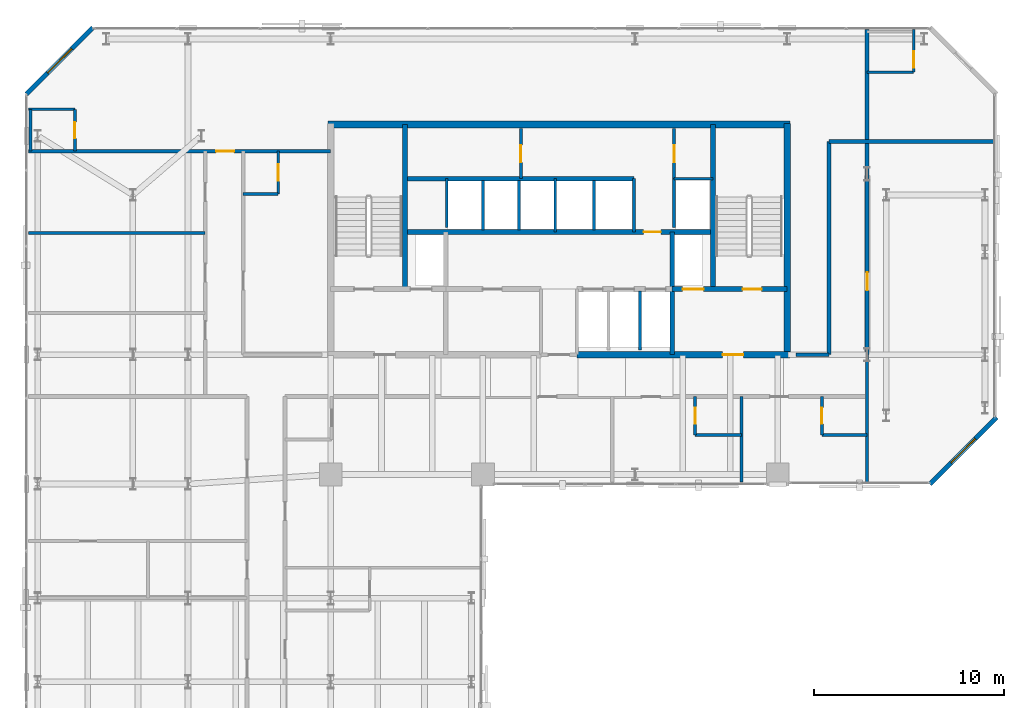
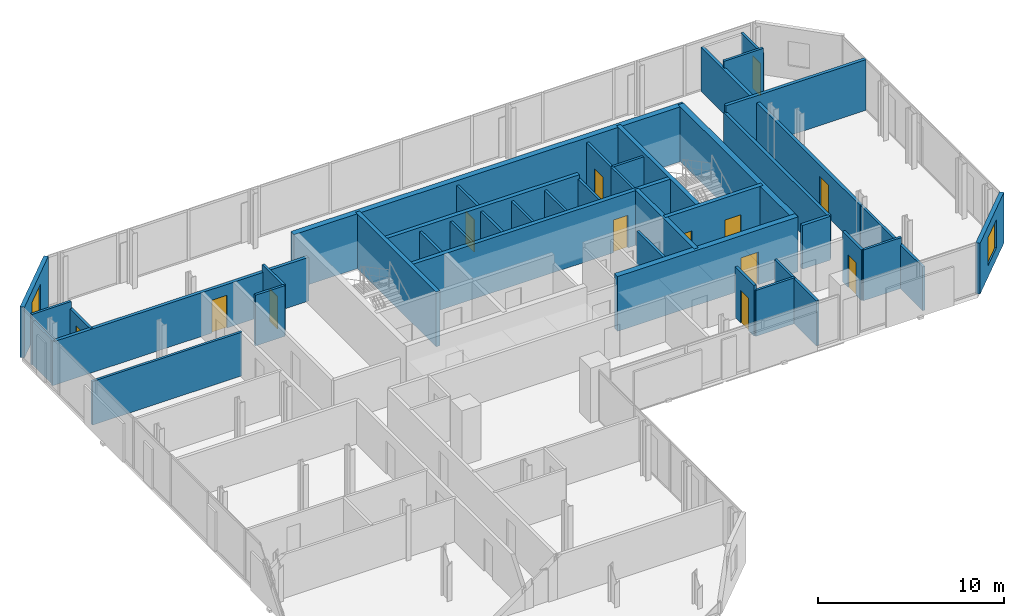
# One storey, part 29 of 33: 41 walls, 13 doors, 2 windows, 15 openings.
"""IFC4 building model written with IfcOpenShell, lengths in metres."""

from ifc_helpers import new_model, si_unit, direction, frame, frame_2d, origin, place, context, subcontext, project, spatial, rectangle, extrude, material, layer, layer_set, type_object, element, fill, save


model = new_model("IFC4")

# Units and contexts
model_context = context("Model", 3, precision=1e-05, world=origin(), true_north=direction((0.0, 1.0)))
body_context = subcontext(model_context, "Body", "Model", "MODEL_VIEW")
ifc_project = project(units=[si_unit("LENGTHUNIT", "METRE"), si_unit("AREAUNIT", "SQUARE_METRE"), si_unit("VOLUMEUNIT", "CUBIC_METRE"), si_unit("PLANEANGLEUNIT", "RADIAN"), si_unit("MASSUNIT", "GRAM", prefix="KILO")], contexts=[model_context])

# Site, building, storey
site_placement = place(None, origin())
site = spatial("IfcSite", under=ifc_project, at=site_placement, CompositionType="ELEMENT")
building_placement = place(site_placement, origin())
building = spatial("IfcBuilding", under=site, at=building_placement, Name="Catumbela Crestline Tower", CompositionType="ELEMENT")
storey_placement = place(building_placement, frame((0.0, 0.0, 118.8)))
storey = spatial("IfcBuildingStorey", under=building, at=storey_placement, Name="L30", CompositionType="ELEMENT", Elevation=118.8)

# Walls
ifc_material_1 = material(Name="Concrete C50/60", Category="concrete")
ifc_layer_1 = layer(ifc_material_1, 0.25, Name="Concrete C50/60")
ifc_layer_set_1 = layer_set([ifc_layer_1], Name="Concrete C50/60")
wall_type_1 = type_object("IfcWallType", Name="CW-250D", PredefinedType="SHEAR", material=ifc_layer_set_1)
for number, where, z_axis, x_axis, name in (
    (1, (19.9, 34.25, 0.0), (0.0, 0.0, 1.0), (0.0, 1.0, 0.0), "L30 Structural Core Shear Wall WWEB"),
    (2, (36.1, 34.25, 0.0), (0.0, 0.0, 1.0), (0.0, 1.0, 0.0), "L30 Structural Core Shear Wall EWEB"),
):
    element("IfcWall", number, at=place(storey_placement, frame(where, z_axis=z_axis, x_axis=x_axis)), inside=storey, type_object=wall_type_1, Name=name, PredefinedType="SHEAR", context=body_context, shape_type="SweptSolid", body=[
        extrude(rectangle(XDim=8.65, YDim=0.25, at=frame_2d((4.325, 0.0))), origin(), (0.0, 0.0, 1.0), 3.6),
    ])
wall_1_placement = place(storey_placement, frame((33.95, 30.8, 0.0), z_axis=(0.0, 0.0, 1.0), x_axis=(0.0, 1.0, 0.0)))
element("IfcWall", 3, at=wall_1_placement, inside=storey, type_object=wall_type_1, Name="L30 Structural Core Shear Wall FFE", PredefinedType="SHEAR", context=body_context, shape_type="SweptSolid", body=[
    extrude(rectangle(XDim=6.45, YDim=0.25, at=frame_2d((3.225, 0.0))), origin(), (0.0, 0.0, 1.0), 3.6),
])

# Wall, openings, doors
wall_2_placement = place(storey_placement, frame((33.95, 34.25, 0.0), z_axis=(0.0, 0.0, 1.0), x_axis=(1.0, 0.0, 0.0)))
wall_2 = element("IfcWall", 4, at=wall_2_placement, inside=storey, type_object=wall_type_1, Name="L30 Structural Core Shear Wall ST2S", PredefinedType="SHEAR", context=body_context, shape_type="SweptSolid", body=[
    extrude(rectangle(XDim=6.05, YDim=0.25, at=frame_2d((3.025, 0.0))), origin(), (0.0, 0.0, 1.0), 3.6),
])
opening_1_placement = place(wall_2_placement, frame((3.7, 0.0, 0.0)))
opening_1 = element("IfcOpeningElement", 5, at=opening_1_placement, cuts=wall_2, Name="Opening DF9-100", PredefinedType="OPENING", context=body_context, shape_type="SweptSolid", body=[
    extrude(rectangle(XDim=1.0, YDim=2.15, at=frame_2d((0.5, 1.075))), frame((0.0, 0.135, 0.0), z_axis=(0.0, -1.0, 0.0), x_axis=(1.0, 0.0, 0.0)), (0.0, 0.0, 1.0), 0.27),
])
opening_2_placement = place(wall_2_placement, frame((0.55, 0.0, 0.0)))
opening_2 = element("IfcOpeningElement", 6, at=opening_2_placement, cuts=wall_2, Name="Opening LD-110", PredefinedType="OPENING", context=body_context, shape_type="SweptSolid", body=[
    extrude(rectangle(XDim=1.1, YDim=2.15, at=frame_2d((0.55, 1.075))), frame((0.0, 0.135, 0.0), z_axis=(0.0, -1.0, 0.0), x_axis=(1.0, 0.0, 0.0)), (0.0, 0.0, 1.0), 0.27),
])
ifc_material_2 = material(Name="Stainless steel EN 1.4401", Category="steel")
door_type_1 = type_object("IfcDoorType", Name="DF9-100", OperationType="NOTDEFINED", PredefinedType="DOOR", material=ifc_material_2)
door_1_placement = place(opening_1_placement, origin())
door_1 = element("IfcDoor", 7, at=door_1_placement, inside=storey, type_object=door_type_1, Name="L30 Interior Door DR-L30-ST02", OperationType="SINGLE_SWING_RIGHT", OverallHeight=2.15, OverallWidth=1.0, PredefinedType="DOOR", context=body_context, shape_type="SweptSolid", body=[
    extrude(rectangle(XDim=1.0, YDim=2.15, at=frame_2d((0.5, 1.075))), frame((0.0, 0.025, 0.0), z_axis=(0.0, -1.0, 0.0), x_axis=(1.0, 0.0, 0.0)), (0.0, 0.0, 1.0), 0.05),
])
fill(opening_1, door_1)
door_type_2 = type_object("IfcDoorType", Name="LD-110", OperationType="NOTDEFINED", PredefinedType="DOOR", material=ifc_material_2)
door_2_placement = place(opening_2_placement, origin())
door_2 = element("IfcDoor", 8, at=door_2_placement, inside=storey, type_object=door_type_2, Name="L30 Lift Landing Sliding Door FL-02", OperationType="DOUBLE_DOOR_SLIDING", OverallHeight=2.15, OverallWidth=1.1, PredefinedType="DOOR", context=body_context, shape_type="SweptSolid", body=[
    extrude(rectangle(XDim=1.1, YDim=2.15, at=frame_2d((0.55, 1.075))), frame((0.0, 0.025, 0.0), z_axis=(0.0, -1.0, 0.0), x_axis=(1.0, 0.0, 0.0)), (0.0, 0.0, 1.0), 0.05),
])
fill(opening_2, door_2)

# Wall, opening, door
wall_3_placement = place(storey_placement, frame((19.9, 37.25, 0.0), z_axis=(0.0, 0.0, 1.0), x_axis=(1.0, 0.0, 0.0)))
wall_3 = element("IfcWall", 9, at=wall_3_placement, inside=storey, type_object=wall_type_1, Name="L30 Structural Core Shear Wall LIFTN", PredefinedType="SHEAR", context=body_context, shape_type="SweptSolid", body=[
    extrude(rectangle(XDim=16.2, YDim=0.25, at=frame_2d((8.1, 0.0))), origin(), (0.0, 0.0, 1.0), 3.6),
])
opening_3_placement = place(wall_3_placement, frame((12.55, 0.0, 0.0)))
opening_3 = element("IfcOpeningElement", 10, at=opening_3_placement, cuts=wall_3, Name="Opening DF9-090", PredefinedType="OPENING", context=body_context, shape_type="SweptSolid", body=[
    extrude(rectangle(XDim=0.9, YDim=2.15, at=frame_2d((0.45, 1.075))), frame((0.0, 0.135, 0.0), z_axis=(0.0, -1.0, 0.0), x_axis=(1.0, 0.0, 0.0)), (0.0, 0.0, 1.0), 0.27),
])
door_type_3 = type_object("IfcDoorType", Name="DF9-090", OperationType="NOTDEFINED", PredefinedType="DOOR", material=ifc_material_2)
door_3_placement = place(opening_3_placement, origin())
door_3 = element("IfcDoor", 11, at=door_3_placement, inside=storey, type_object=door_type_3, Name="L30 Interior Door DR-L30-CPAS1", OperationType="SINGLE_SWING_LEFT", OverallHeight=2.15, OverallWidth=0.9, PredefinedType="DOOR", context=body_context, shape_type="SweptSolid", body=[
    extrude(rectangle(XDim=0.9, YDim=2.15, at=frame_2d((0.45, 1.075))), frame((0.0, 0.025, 0.0), z_axis=(0.0, -1.0, 0.0), x_axis=(1.0, 0.0, 0.0)), (0.0, 0.0, 1.0), 0.05),
])
fill(opening_3, door_3)

# Walls
wall_4_placement = place(storey_placement, frame((19.9, 40.05, 0.0), z_axis=(0.0, 0.0, 1.0), x_axis=(1.0, 0.0, 0.0)))
element("IfcWall", 12, at=wall_4_placement, inside=storey, type_object=wall_type_1, Name="L30 Structural Core Shear Wall COREN", PredefinedType="SHEAR", context=body_context, shape_type="SweptSolid", body=[
    extrude(rectangle(XDim=12.05, YDim=0.25, at=frame_2d((6.025, 0.0))), origin(), (0.0, 0.0, 1.0), 3.6),
])
ifc_layer_2 = layer(ifc_material_1, 0.35, Name="Concrete C50/60")
ifc_layer_set_2 = layer_set([ifc_layer_2], Name="Concrete C50/60")
wall_type_2 = type_object("IfcWallType", Name="CW-350B", PredefinedType="SHEAR", material=ifc_layer_set_2)
wall_5_placement = place(storey_placement, frame((40.0, 30.65, 0.0), z_axis=(0.0, 0.0, 1.0), x_axis=(0.0, 1.0, 0.0)))
element("IfcWall", 13, at=wall_5_placement, inside=storey, type_object=wall_type_2, Name="L30 Structural Core Shear Wall E", PredefinedType="SHEAR", context=body_context, shape_type="SweptSolid", body=[
    extrude(rectangle(XDim=12.3, YDim=0.35, at=frame_2d((6.15, 0.0))), origin(), (0.0, 0.0, 1.0), 3.6),
])
wall_6_placement = place(storey_placement, frame((15.85, 42.9, 0.0), z_axis=(0.0, 0.0, 1.0), x_axis=(1.0, 0.0, 0.0)))
element("IfcWall", 14, at=wall_6_placement, inside=storey, type_object=wall_type_2, Name="L30 Structural Core Shear Wall N", PredefinedType="SHEAR", context=body_context, shape_type="SweptSolid", body=[
    extrude(rectangle(XDim=24.3, YDim=0.35, at=frame_2d((12.15, 0.0))), origin(), (0.0, 0.0, 1.0), 3.6),
])

# Wall, opening, door
wall_7_placement = place(storey_placement, frame((28.95, 30.8, 0.0), z_axis=(0.0, 0.0, 1.0), x_axis=(1.0, 0.0, 0.0)))
wall_7 = element("IfcWall", 15, at=wall_7_placement, inside=storey, type_object=wall_type_2, Name="L30 Structural Core Shear Wall SE", PredefinedType="SHEAR", context=body_context, shape_type="SweptSolid", body=[
    extrude(rectangle(XDim=11.2, YDim=0.35, at=frame_2d((5.6, 0.0))), origin(), (0.0, 0.0, 1.0), 3.6),
])
opening_4_placement = place(wall_7_placement, frame((7.65, 0.0, 0.0)))
opening_4 = element("IfcOpeningElement", 16, at=opening_4_placement, cuts=wall_7, Name="Opening DF9-110", PredefinedType="OPENING", context=body_context, shape_type="SweptSolid", body=[
    extrude(rectangle(XDim=1.1, YDim=2.15, at=frame_2d((0.55, 1.075))), frame((0.0, 0.185, 0.0), z_axis=(0.0, -1.0, 0.0), x_axis=(1.0, 0.0, 0.0)), (0.0, 0.0, 1.0), 0.37),
])
door_type_4 = type_object("IfcDoorType", Name="DF9-110", OperationType="NOTDEFINED", PredefinedType="DOOR", material=ifc_material_2)
door_4_placement = place(opening_4_placement, origin())
door_4 = element("IfcDoor", 17, at=door_4_placement, inside=storey, type_object=door_type_4, Name="L30 Interior Door DR-L30-FFE-S", OperationType="SINGLE_SWING_RIGHT", OverallHeight=2.15, OverallWidth=1.1, PredefinedType="DOOR", context=body_context, shape_type="SweptSolid", body=[
    extrude(rectangle(XDim=1.1, YDim=2.15, at=frame_2d((0.55, 1.075))), frame((0.0, 0.025, 0.0), z_axis=(0.0, -1.0, 0.0), x_axis=(1.0, 0.0, 0.0)), (0.0, 0.0, 1.0), 0.05),
])
fill(opening_4, door_4)

# Walls
ifc_material_3 = material(Name="Acoustic gypsum and mineral-wool partition")
ifc_layer_3 = layer(ifc_material_3, 0.2, Name="Acoustic gypsum and mineral-wool partition")
ifc_layer_set_3 = layer_set([ifc_layer_3], Name="Acoustic gypsum and mineral-wool partition")
wall_type_3 = type_object("IfcWallType", Name="WC-200", PredefinedType="PARTITIONING", material=ifc_layer_set_3)
wall_8_placement = place(storey_placement, frame((40.47, 30.8, 0.0), z_axis=(0.0, 0.0, 1.0), x_axis=(1.0, 0.0, 0.0)))
element("IfcWall", 18, at=wall_8_placement, inside=storey, type_object=wall_type_3, Name="L30 Interior Partition PW-L30-Z2CW-E1", PredefinedType="PARTITIONING", context=body_context, shape_type="SweptSolid", body=[
    extrude(rectangle(XDim=1.73, YDim=0.2, at=frame_2d((0.865, 0.0))), origin(), (0.0, 0.0, 1.0), 2.87),
])
wall_9_placement = place(storey_placement, frame((42.2, 30.8, 0.0), z_axis=(0.0, 0.0, 1.0), x_axis=(0.0, 1.0, 0.0)))
element("IfcWall", 19, at=wall_9_placement, inside=storey, type_object=wall_type_3, Name="L30 Interior Partition PW-L30-Z2CW-E2", PredefinedType="PARTITIONING", context=body_context, shape_type="SweptSolid", body=[
    extrude(rectangle(XDim=11.2, YDim=0.2, at=frame_2d((5.6, 0.0))), origin(), (0.0, 0.0, 1.0), 2.87),
])
wall_10_placement = place(storey_placement, frame((42.2, 42.0, 0.0), z_axis=(0.0, 0.0, 1.0), x_axis=(1.0, 0.0, 0.0)))
element("IfcWall", 20, at=wall_10_placement, inside=storey, type_object=wall_type_3, Name="L30 Interior Partition PW-L30-Z2CW-E3", PredefinedType="PARTITIONING", context=body_context, shape_type="SweptSolid", body=[
    extrude(rectangle(XDim=8.7, YDim=0.2, at=frame_2d((4.35, 0.0))), origin(), (0.0, 0.0, 1.0), 3.33),
])

# Wall, opening, door
wall_11_placement = place(storey_placement, frame((0.1, 41.5, 0.0), z_axis=(0.0, 0.0, 1.0), x_axis=(1.0, 0.0, 0.0)))
wall_11 = element("IfcWall", 21, at=wall_11_placement, inside=storey, type_object=wall_type_3, Name="L30 Interior Partition PW-L30-Z2NWT-ENT", PredefinedType="PARTITIONING", context=body_context, shape_type="SweptSolid", body=[
    extrude(rectangle(XDim=15.9, YDim=0.2, at=frame_2d((7.95, 0.0))), origin(), (0.0, 0.0, 1.0), 2.87),
])
opening_5_placement = place(wall_11_placement, frame((9.8771, 0.0, 0.0)))
opening_5 = element("IfcOpeningElement", 22, at=opening_5_placement, cuts=wall_11, Name="Opening DF6-095", PredefinedType="OPENING", context=body_context, shape_type="SweptSolid", body=[
    extrude(rectangle(XDim=0.95, YDim=2.15, at=frame_2d((0.475, 1.075))), frame((0.0, 0.11, 0.0), z_axis=(0.0, -1.0, 0.0), x_axis=(1.0, 0.0, 0.0)), (0.0, 0.0, 1.0), 0.22),
])
ifc_material_4 = material(Name="Aluminium alloy AW-6060-T66", Category="aluminium")
door_type_5 = type_object("IfcDoorType", Name="DF6-095", OperationType="NOTDEFINED", PredefinedType="DOOR", material=ifc_material_4)
door_5_placement = place(opening_5_placement, origin())
door_5 = element("IfcDoor", 23, at=door_5_placement, inside=storey, type_object=door_type_5, Name="L30 Interior Door DR-L30-Z2NWT-ENT", OperationType="SINGLE_SWING_RIGHT", OverallHeight=2.15, OverallWidth=0.95, PredefinedType="DOOR", context=body_context, shape_type="SweptSolid", body=[
    extrude(rectangle(XDim=0.95, YDim=2.15, at=frame_2d((0.475, 1.075))), frame((0.0, 0.025, 0.0), z_axis=(0.0, -1.0, 0.0), x_axis=(1.0, 0.0, 0.0)), (0.0, 0.0, 1.0), 0.05),
])
fill(opening_5, door_5)

wall_12_placement = place(storey_placement, frame((44.2, 30.8, 0.0), z_axis=(0.0, 0.0, 1.0), x_axis=(0.0, 1.0, 0.0)))
wall_12 = element("IfcWall", 24, at=wall_12_placement, inside=storey, type_object=wall_type_3, Name="L30 Interior Partition PW-L30-SE1-ENT", PredefinedType="PARTITIONING", context=body_context, shape_type="SweptSolid", body=[
    extrude(rectangle(XDim=17.1, YDim=0.2, at=frame_2d((8.55, 0.0))), origin(), (0.0, 0.0, 1.0), 2.87),
])
opening_6_placement = place(wall_12_placement, frame((3.3825, 0.0, 0.0)))
opening_6 = element("IfcOpeningElement", 25, at=opening_6_placement, cuts=wall_12, Name="Opening DF6-095", PredefinedType="OPENING", context=body_context, shape_type="SweptSolid", body=[
    extrude(rectangle(XDim=0.95, YDim=2.15, at=frame_2d((0.475, 1.075))), frame((0.0, 0.11, 0.0), z_axis=(0.0, -1.0, 0.0), x_axis=(1.0, 0.0, 0.0)), (0.0, 0.0, 1.0), 0.22),
])
door_6_placement = place(opening_6_placement, origin())
door_6 = element("IfcDoor", 26, at=door_6_placement, inside=storey, type_object=door_type_5, Name="L30 Interior Door DR-L30-SE1-ENT", OperationType="SINGLE_SWING_RIGHT", OverallHeight=2.15, OverallWidth=0.95, PredefinedType="DOOR", context=body_context, shape_type="SweptSolid", body=[
    extrude(rectangle(XDim=0.95, YDim=2.15, at=frame_2d((0.475, 1.075))), frame((0.0, 0.025, 0.0), z_axis=(0.0, -1.0, 0.0), x_axis=(1.0, 0.0, 0.0)), (0.0, 0.0, 1.0), 0.05),
])
fill(opening_6, door_6)

# Wall, opening, window
ifc_material_5 = material(Name="Angolan grey-ochre granite", Category="masonry")
ifc_layer_4 = layer(ifc_material_5, 0.25, Name="Angolan grey-ochre granite")
ifc_layer_set_4 = layer_set([ifc_layer_4], Name="Angolan grey-ochre granite")
wall_type_4 = type_object("IfcWallType", Name="WE-250", PredefinedType="STANDARD", material=ifc_layer_set_4)
wall_13_placement = place(storey_placement, frame((47.5, 24.0, 0.0), z_axis=(0.0, 0.0, 1.0), x_axis=(0.707106781187, 0.707106781187, 0.0)))
wall_13 = element("IfcWall", 27, at=wall_13_placement, inside=storey, type_object=wall_type_4, Name="L30 Granite Punched Window Wall 4-1", PredefinedType="STANDARD", context=body_context, shape_type="SweptSolid", body=[
    extrude(rectangle(XDim=4.9497, YDim=0.25, at=frame_2d((2.4748, 0.0))), origin(), (0.0, 0.0, 1.0), 3.33),
])
opening_7_placement = place(wall_13_placement, frame((1.5749, 0.0, 0.75)))
opening_7 = element("IfcOpeningElement", 28, at=opening_7_placement, cuts=wall_13, Name="Opening WN-01", PredefinedType="OPENING", context=body_context, shape_type="SweptSolid", body=[
    extrude(rectangle(XDim=1.8, YDim=1.85, at=frame_2d((0.9, 0.925))), frame((0.0, 0.135, 0.0), z_axis=(0.0, -1.0, 0.0), x_axis=(1.0, 0.0, 0.0)), (0.0, 0.0, 1.0), 0.27),
])
ifc_material_6 = material(Name="Low-E laminated solar-control double glazing", Category="glass")
window_type = type_object("IfcWindowType", Name="WF-1800", PartitioningType="SINGLE_PANEL", PredefinedType="WINDOW", material=ifc_material_6)
window_1_placement = place(opening_7_placement, origin())
window_1 = element("IfcWindow", 29, at=window_1_placement, inside=storey, type_object=window_type, Name="L30 Facade Vision Window 171", OverallHeight=1.85, OverallWidth=1.8, PartitioningType="SINGLE_PANEL", PredefinedType="WINDOW", context=body_context, shape_type="SweptSolid", body=[
    extrude(rectangle(XDim=1.8, YDim=1.85, at=frame_2d((0.9, 0.925))), frame((0.0, 0.03, 0.0), z_axis=(0.0, -1.0, 0.0), x_axis=(1.0, 0.0, 0.0)), (0.0, 0.0, 1.0), 0.06),
])
fill(opening_7, window_1)

wall_14_placement = place(storey_placement, frame((3.5, 48.0, 0.0), z_axis=(0.0, 0.0, 1.0), x_axis=(-0.707106781187, -0.707106781187, 0.0)))
wall_14 = element("IfcWall", 30, at=wall_14_placement, inside=storey, type_object=wall_type_4, Name="L30 Granite Punched Window Wall 8-1", PredefinedType="STANDARD", context=body_context, shape_type="SweptSolid", body=[
    extrude(rectangle(XDim=4.9497, YDim=0.25, at=frame_2d((2.4748, 0.0))), origin(), (0.0, 0.0, 1.0), 3.33),
])
opening_8_placement = place(wall_14_placement, frame((1.5749, 0.0, 0.75)))
opening_8 = element("IfcOpeningElement", 31, at=opening_8_placement, cuts=wall_14, Name="Opening WN-01", PredefinedType="OPENING", context=body_context, shape_type="SweptSolid", body=[
    extrude(rectangle(XDim=1.8, YDim=1.85, at=frame_2d((0.9, 0.925))), frame((0.0, 0.135, 0.0), z_axis=(0.0, -1.0, 0.0), x_axis=(1.0, 0.0, 0.0)), (0.0, 0.0, 1.0), 0.27),
])
window_2_placement = place(opening_8_placement, origin())
window_2 = element("IfcWindow", 32, at=window_2_placement, inside=storey, type_object=window_type, Name="L30 Facade Vision Window 173", OverallHeight=1.85, OverallWidth=1.8, PartitioningType="SINGLE_PANEL", PredefinedType="WINDOW", context=body_context, shape_type="SweptSolid", body=[
    extrude(rectangle(XDim=1.8, YDim=1.85, at=frame_2d((0.9, 0.925))), frame((0.0, 0.03, 0.0), z_axis=(0.0, -1.0, 0.0), x_axis=(1.0, 0.0, 0.0)), (0.0, 0.0, 1.0), 0.06),
])
fill(opening_8, window_2)

# Wall
ifc_layer_5 = layer(ifc_material_3, 0.15, Name="Acoustic gypsum and mineral-wool partition")
ifc_layer_set_5 = layer_set([ifc_layer_5], Name="Acoustic gypsum and mineral-wool partition")
wall_type_5 = type_object("IfcWallType", Name="WP-150", PredefinedType="PARTITIONING", material=ifc_layer_set_5)
wall_15_placement = place(storey_placement, frame((34.05, 40.05, 0.0), z_axis=(0.0, 0.0, 1.0), x_axis=(1.0, 0.0, 0.0)))
element("IfcWall", 33, at=wall_15_placement, inside=storey, type_object=wall_type_5, Name="L30 Interior Partition PW-L30-CR-ES", PredefinedType="PARTITIONING", context=body_context, shape_type="SweptSolid", body=[
    extrude(rectangle(XDim=2.05, YDim=0.15, at=frame_2d((1.025, 0.0))), origin(), (0.0, 0.0, 1.0), 3.33),
])

# Wall, opening, door
wall_16_placement = place(storey_placement, frame((34.05, 40.05, 0.0), z_axis=(0.0, 0.0, 1.0), x_axis=(0.0, 1.0, 0.0)))
wall_16 = element("IfcWall", 34, at=wall_16_placement, inside=storey, type_object=wall_type_5, Name="L30 Interior Partition PW-L30-CR-EW", PredefinedType="PARTITIONING", context=body_context, shape_type="SweptSolid", body=[
    extrude(rectangle(XDim=2.63, YDim=0.15, at=frame_2d((1.315, 0.0))), origin(), (0.0, 0.0, 1.0), 3.33),
])
opening_9_placement = place(wall_16_placement, frame((0.865, 0.0, 0.0)))
opening_9 = element("IfcOpeningElement", 35, at=opening_9_placement, cuts=wall_16, Name="Opening DF9-090", PredefinedType="OPENING", context=body_context, shape_type="SweptSolid", body=[
    extrude(rectangle(XDim=0.9, YDim=2.15, at=frame_2d((0.45, 1.075))), frame((0.0, 0.085, 0.0), z_axis=(0.0, -1.0, 0.0), x_axis=(1.0, 0.0, 0.0)), (0.0, 0.0, 1.0), 0.17),
])
door_7_placement = place(opening_9_placement, origin())
door_7 = element("IfcDoor", 36, at=door_7_placement, inside=storey, type_object=door_type_3, Name="L30 Interior Door DR-L30-CREAST", OperationType="SINGLE_SWING_RIGHT", OverallHeight=2.15, OverallWidth=0.9, PredefinedType="DOOR", context=body_context, shape_type="SweptSolid", body=[
    extrude(rectangle(XDim=0.9, YDim=2.15, at=frame_2d((0.45, 1.075))), frame((0.0, 0.025, 0.0), z_axis=(0.0, -1.0, 0.0), x_axis=(1.0, 0.0, 0.0)), (0.0, 0.0, 1.0), 0.05),
])
fill(opening_9, door_7)

wall_17_placement = place(storey_placement, frame((26.0, 40.05, 0.0), z_axis=(0.0, 0.0, 1.0), x_axis=(0.0, 1.0, 0.0)))
wall_17 = element("IfcWall", 37, at=wall_17_placement, inside=storey, type_object=wall_type_5, Name="L30 Interior Partition PW-L30-CR-WW", PredefinedType="PARTITIONING", context=body_context, shape_type="SweptSolid", body=[
    extrude(rectangle(XDim=2.63, YDim=0.15, at=frame_2d((1.315, 0.0))), origin(), (0.0, 0.0, 1.0), 3.33),
])
opening_10_placement = place(wall_17_placement, frame((0.865, 0.0, 0.0)))
opening_10 = element("IfcOpeningElement", 38, at=opening_10_placement, cuts=wall_17, Name="Opening DF9-090", PredefinedType="OPENING", context=body_context, shape_type="SweptSolid", body=[
    extrude(rectangle(XDim=0.9, YDim=2.15, at=frame_2d((0.45, 1.075))), frame((0.0, 0.085, 0.0), z_axis=(0.0, -1.0, 0.0), x_axis=(1.0, 0.0, 0.0)), (0.0, 0.0, 1.0), 0.17),
])
door_8_placement = place(opening_10_placement, origin())
door_8 = element("IfcDoor", 39, at=door_8_placement, inside=storey, type_object=door_type_3, Name="L30 Interior Door DR-L30-CRWEST", OperationType="SINGLE_SWING_LEFT", OverallHeight=2.15, OverallWidth=0.9, PredefinedType="DOOR", context=body_context, shape_type="SweptSolid", body=[
    extrude(rectangle(XDim=0.9, YDim=2.15, at=frame_2d((0.45, 1.075))), frame((0.0, 0.025, 0.0), z_axis=(0.0, -1.0, 0.0), x_axis=(1.0, 0.0, 0.0)), (0.0, 0.0, 1.0), 0.05),
])
fill(opening_10, door_8)

# Wall
wall_18_placement = place(storey_placement, frame((0.1, 43.7, 0.0), z_axis=(0.0, 0.0, 1.0), x_axis=(1.0, 0.0, 0.0)))
element("IfcWall", 40, at=wall_18_placement, inside=storey, type_object=wall_type_5, Name="L30 Interior Partition PW-L30-Z2NWT-BHW", PredefinedType="PARTITIONING", context=body_context, shape_type="SweptSolid", body=[
    extrude(rectangle(XDim=2.45, YDim=0.15, at=frame_2d((1.225, 0.0))), origin(), (0.0, 0.0, 1.0), 3.33),
])

# Wall, opening, door
wall_19_placement = place(storey_placement, frame((2.55, 41.5, 0.0), z_axis=(0.0, 0.0, 1.0), x_axis=(0.0, 1.0, 0.0)))
wall_19 = element("IfcWall", 41, at=wall_19_placement, inside=storey, type_object=wall_type_5, Name="L30 Interior Partition PW-L30-Z2NWT-BEW", PredefinedType="PARTITIONING", context=body_context, shape_type="SweptSolid", body=[
    extrude(rectangle(XDim=2.2, YDim=0.15, at=frame_2d((1.1, 0.0))), origin(), (0.0, 0.0, 1.0), 2.87),
])
opening_11_placement = place(wall_19_placement, frame((0.675, 0.0, 0.0)))
opening_11 = element("IfcOpeningElement", 42, at=opening_11_placement, cuts=wall_19, Name="Opening DI-085", PredefinedType="OPENING", context=body_context, shape_type="SweptSolid", body=[
    extrude(rectangle(XDim=0.85, YDim=2.15, at=frame_2d((0.425, 1.075))), frame((0.0, 0.085, 0.0), z_axis=(0.0, -1.0, 0.0), x_axis=(1.0, 0.0, 0.0)), (0.0, 0.0, 1.0), 0.17),
])
door_type_6 = type_object("IfcDoorType", Name="DI-085", OperationType="NOTDEFINED", PredefinedType="DOOR", material=ifc_material_4)
door_9_placement = place(opening_11_placement, origin())
door_9 = element("IfcDoor", 43, at=door_9_placement, inside=storey, type_object=door_type_6, Name="L30 Interior Door DR-L30-Z2NWT-BTH", OperationType="SINGLE_SWING_LEFT", OverallHeight=2.15, OverallWidth=0.85, PredefinedType="DOOR", context=body_context, shape_type="SweptSolid", body=[
    extrude(rectangle(XDim=0.85, YDim=2.15, at=frame_2d((0.425, 1.075))), frame((0.0, 0.025, 0.0), z_axis=(0.0, -1.0, 0.0), x_axis=(1.0, 0.0, 0.0)), (0.0, 0.0, 1.0), 0.05),
])
fill(opening_11, door_9)

# Walls
wall_20_placement = place(storey_placement, frame((0.22, 41.5, 0.0), z_axis=(0.0, 0.0, 1.0), x_axis=(0.0, 1.0, 0.0)))
element("IfcWall", 44, at=wall_20_placement, inside=storey, type_object=wall_type_5, Name="L30 Interior Partition PW-L30-Z2NWT-BCL-2", PredefinedType="PARTITIONING", context=body_context, shape_type="SweptSolid", body=[
    extrude(rectangle(XDim=2.2, YDim=0.15, at=frame_2d((1.1, 0.0))), origin(), (0.0, 0.0, 1.0), 2.87),
])
wall_21_placement = place(storey_placement, frame((0.1, 37.2, 0.0), z_axis=(0.0, 0.0, 1.0), x_axis=(1.0, 0.0, 0.0)))
element("IfcWall", 45, at=wall_21_placement, inside=storey, type_object=wall_type_5, Name="L30 Interior Partition PW-L30-Z2G2-2", PredefinedType="PARTITIONING", context=body_context, shape_type="SweptSolid", body=[
    extrude(rectangle(XDim=9.3, YDim=0.15, at=frame_2d((4.65, 0.0))), origin(), (0.0, 0.0, 1.0), 2.87),
])
wall_22_placement = place(storey_placement, frame((11.4, 39.25, 0.0), z_axis=(0.0, 0.0, 1.0), x_axis=(1.0, 0.0, 0.0)))
element("IfcWall", 46, at=wall_22_placement, inside=storey, type_object=wall_type_5, Name="L30 Interior Partition PW-L30-Z2FS1-BSW", PredefinedType="PARTITIONING", context=body_context, shape_type="SweptSolid", body=[
    extrude(rectangle(XDim=1.84, YDim=0.15, at=frame_2d((0.92, 0.0))), origin(), (0.0, 0.0, 1.0), 3.33),
])

# Wall, opening, door
wall_23_placement = place(storey_placement, frame((13.24, 39.25, 0.0), z_axis=(0.0, 0.0, 1.0), x_axis=(0.0, 1.0, 0.0)))
wall_23 = element("IfcWall", 47, at=wall_23_placement, inside=storey, type_object=wall_type_5, Name="L30 Interior Partition PW-L30-Z2FS1-BEW", PredefinedType="PARTITIONING", context=body_context, shape_type="SweptSolid", body=[
    extrude(rectangle(XDim=2.25, YDim=0.15, at=frame_2d((1.125, 0.0))), origin(), (0.0, 0.0, 1.0), 3.33),
])
opening_12_placement = place(wall_23_placement, frame((0.7, 0.0, 0.0)))
opening_12 = element("IfcOpeningElement", 48, at=opening_12_placement, cuts=wall_23, Name="Opening DI-085", PredefinedType="OPENING", context=body_context, shape_type="SweptSolid", body=[
    extrude(rectangle(XDim=0.85, YDim=2.15, at=frame_2d((0.425, 1.075))), frame((0.0, 0.085, 0.0), z_axis=(0.0, -1.0, 0.0), x_axis=(1.0, 0.0, 0.0)), (0.0, 0.0, 1.0), 0.17),
])
door_10_placement = place(opening_12_placement, origin())
door_10 = element("IfcDoor", 49, at=door_10_placement, inside=storey, type_object=door_type_6, Name="L30 Interior Door DR-L30-Z2FS1-BTH", OperationType="SINGLE_SWING_LEFT", OverallHeight=2.15, OverallWidth=0.85, PredefinedType="DOOR", context=body_context, shape_type="SweptSolid", body=[
    extrude(rectangle(XDim=0.85, YDim=2.15, at=frame_2d((0.425, 1.075))), frame((0.0, 0.025, 0.0), z_axis=(0.0, -1.0, 0.0), x_axis=(1.0, 0.0, 0.0)), (0.0, 0.0, 1.0), 0.05),
])
fill(opening_12, door_10)

# Wall
wall_24_placement = place(storey_placement, frame((35.152, 26.576, 0.0), z_axis=(0.0, 0.0, 1.0), x_axis=(1.0, 0.0, 0.0)))
element("IfcWall", 50, at=wall_24_placement, inside=storey, type_object=wall_type_5, Name="L30 Interior Partition PW-L30-SS2-BHW", PredefinedType="PARTITIONING", context=body_context, shape_type="SweptSolid", body=[
    extrude(rectangle(XDim=2.448, YDim=0.15, at=frame_2d((1.224, 0.0))), origin(), (0.0, 0.0, 1.0), 3.01),
])

# Wall, opening, door
wall_25_placement = place(storey_placement, frame((35.152, 26.576, 0.0), z_axis=(0.0, 0.0, 1.0), x_axis=(0.0, 1.0, 0.0)))
wall_25 = element("IfcWall", 51, at=wall_25_placement, inside=storey, type_object=wall_type_5, Name="L30 Interior Partition PW-L30-SS2-BWW", PredefinedType="PARTITIONING", context=body_context, shape_type="SweptSolid", body=[
    extrude(rectangle(XDim=2.024, YDim=0.15, at=frame_2d((1.012, 0.0))), origin(), (0.0, 0.0, 1.0), 3.33),
])
opening_13_placement = place(wall_25_placement, frame((0.587, 0.0, 0.0)))
opening_13 = element("IfcOpeningElement", 52, at=opening_13_placement, cuts=wall_25, Name="Opening DI-085", PredefinedType="OPENING", context=body_context, shape_type="SweptSolid", body=[
    extrude(rectangle(XDim=0.85, YDim=2.15, at=frame_2d((0.425, 1.075))), frame((0.0, 0.085, 0.0), z_axis=(0.0, -1.0, 0.0), x_axis=(1.0, 0.0, 0.0)), (0.0, 0.0, 1.0), 0.17),
])
door_11_placement = place(opening_13_placement, origin())
door_11 = element("IfcDoor", 53, at=door_11_placement, inside=storey, type_object=door_type_6, Name="L30 Interior Door DR-L30-SS2-BTH", OperationType="SINGLE_SWING_RIGHT", OverallHeight=2.15, OverallWidth=0.85, PredefinedType="DOOR", context=body_context, shape_type="SweptSolid", body=[
    extrude(rectangle(XDim=0.85, YDim=2.15, at=frame_2d((0.425, 1.075))), frame((0.0, 0.025, 0.0), z_axis=(0.0, -1.0, 0.0), x_axis=(1.0, 0.0, 0.0)), (0.0, 0.0, 1.0), 0.05),
])
fill(opening_13, door_11)

# Walls
wall_26_placement = place(storey_placement, frame((37.6, 28.6, 0.0), z_axis=(0.0, 0.0, 1.0), x_axis=(0.0, -1.0, 0.0)))
element("IfcWall", 54, at=wall_26_placement, inside=storey, type_object=wall_type_5, Name="L30 Interior Partition PW-L30-SS2-BCL-2", PredefinedType="PARTITIONING", context=body_context, shape_type="SweptSolid", body=[
    extrude(rectangle(XDim=4.5, YDim=0.15, at=frame_2d((2.25, 0.0))), origin(), (0.0, 0.0, 1.0), 2.96),
])
wall_27_placement = place(storey_placement, frame((41.824, 26.576, 0.0), z_axis=(0.0, 0.0, 1.0), x_axis=(1.0, 0.0, 0.0)))
element("IfcWall", 55, at=wall_27_placement, inside=storey, type_object=wall_type_5, Name="L30 Interior Partition PW-L30-SS3-BHW", PredefinedType="PARTITIONING", context=body_context, shape_type="SweptSolid", body=[
    extrude(rectangle(XDim=2.376, YDim=0.15, at=frame_2d((1.188, 0.0))), origin(), (0.0, 0.0, 1.0), 3.33),
])

# Wall, opening, door
wall_28_placement = place(storey_placement, frame((41.824, 26.576, 0.0), z_axis=(0.0, 0.0, 1.0), x_axis=(0.0, 1.0, 0.0)))
wall_28 = element("IfcWall", 56, at=wall_28_placement, inside=storey, type_object=wall_type_5, Name="L30 Interior Partition PW-L30-SS3-BWW", PredefinedType="PARTITIONING", context=body_context, shape_type="SweptSolid", body=[
    extrude(rectangle(XDim=2.024, YDim=0.15, at=frame_2d((1.012, 0.0))), origin(), (0.0, 0.0, 1.0), 3.33),
])
opening_14_placement = place(wall_28_placement, frame((0.587, 0.0, 0.0)))
opening_14 = element("IfcOpeningElement", 57, at=opening_14_placement, cuts=wall_28, Name="Opening DI-085", PredefinedType="OPENING", context=body_context, shape_type="SweptSolid", body=[
    extrude(rectangle(XDim=0.85, YDim=2.15, at=frame_2d((0.425, 1.075))), frame((0.0, 0.085, 0.0), z_axis=(0.0, -1.0, 0.0), x_axis=(1.0, 0.0, 0.0)), (0.0, 0.0, 1.0), 0.17),
])
door_12_placement = place(opening_14_placement, origin())
door_12 = element("IfcDoor", 58, at=door_12_placement, inside=storey, type_object=door_type_6, Name="L30 Interior Door DR-L30-SS3-BTH", OperationType="SINGLE_SWING_RIGHT", OverallHeight=2.15, OverallWidth=0.85, PredefinedType="DOOR", context=body_context, shape_type="SweptSolid", body=[
    extrude(rectangle(XDim=0.85, YDim=2.15, at=frame_2d((0.425, 1.075))), frame((0.0, 0.025, 0.0), z_axis=(0.0, -1.0, 0.0), x_axis=(1.0, 0.0, 0.0)), (0.0, 0.0, 1.0), 0.05),
])
fill(opening_14, door_12)

# Walls
wall_29_placement = place(storey_placement, frame((44.2, 30.8, 0.0), z_axis=(0.0, 0.0, 1.0), x_axis=(0.0, -1.0, 0.0)))
element("IfcWall", 59, at=wall_29_placement, inside=storey, type_object=wall_type_5, Name="L30 Interior Partition PW-L30-SS3-BCL-2", PredefinedType="PARTITIONING", context=body_context, shape_type="SweptSolid", body=[
    extrude(rectangle(XDim=6.7, YDim=0.15, at=frame_2d((3.35, 0.0))), origin(), (0.0, 0.0, 1.0), 2.87),
])
wall_30_placement = place(storey_placement, frame((44.2, 45.65, 0.0), z_axis=(0.0, 0.0, 1.0), x_axis=(1.0, 0.0, 0.0)))
element("IfcWall", 60, at=wall_30_placement, inside=storey, type_object=wall_type_5, Name="L30 Interior Partition PW-L30-SE1-BSW", PredefinedType="PARTITIONING", context=body_context, shape_type="SweptSolid", body=[
    extrude(rectangle(XDim=2.45, YDim=0.15, at=frame_2d((1.225, 0.0))), origin(), (0.0, 0.0, 1.0), 3.33),
])

# Wall, opening, door
wall_31_placement = place(storey_placement, frame((46.65, 45.65, 0.0), z_axis=(0.0, 0.0, 1.0), x_axis=(0.0, 1.0, 0.0)))
wall_31 = element("IfcWall", 61, at=wall_31_placement, inside=storey, type_object=wall_type_5, Name="L30 Interior Partition PW-L30-SE1-BEW", PredefinedType="PARTITIONING", context=body_context, shape_type="SweptSolid", body=[
    extrude(rectangle(XDim=2.25, YDim=0.15, at=frame_2d((1.125, 0.0))), origin(), (0.0, 0.0, 1.0), 2.96),
])
opening_15_placement = place(wall_31_placement, frame((0.24, 0.0, 0.0)))
opening_15 = element("IfcOpeningElement", 62, at=opening_15_placement, cuts=wall_31, Name="Opening DI-085", PredefinedType="OPENING", context=body_context, shape_type="SweptSolid", body=[
    extrude(rectangle(XDim=0.85, YDim=2.15, at=frame_2d((0.425, 1.075))), frame((0.0, 0.085, 0.0), z_axis=(0.0, -1.0, 0.0), x_axis=(1.0, 0.0, 0.0)), (0.0, 0.0, 1.0), 0.17),
])
door_13_placement = place(opening_15_placement, origin())
door_13 = element("IfcDoor", 63, at=door_13_placement, inside=storey, type_object=door_type_6, Name="L30 Interior Door DR-L30-SE1-BTH", OperationType="SINGLE_SWING_LEFT", OverallHeight=2.15, OverallWidth=0.85, PredefinedType="DOOR", context=body_context, shape_type="SweptSolid", body=[
    extrude(rectangle(XDim=0.85, YDim=2.15, at=frame_2d((0.425, 1.075))), frame((0.0, 0.025, 0.0), z_axis=(0.0, -1.0, 0.0), x_axis=(1.0, 0.0, 0.0)), (0.0, 0.0, 1.0), 0.05),
])
fill(opening_15, door_13)

# Walls
ifc_layer_6 = layer(ifc_material_3, 0.15, Name="Acoustic gypsum and mineral-wool partition")
ifc_layer_set_6 = layer_set([ifc_layer_6], Name="Acoustic gypsum and mineral-wool partition")
wall_type_6 = type_object("IfcWallType", Name="WS-150", PredefinedType="PLUMBINGWALL", material=ifc_layer_set_6)
wall_32_placement = place(storey_placement, frame((32.25, 31.05, 0.0), z_axis=(0.0, 0.0, 1.0), x_axis=(0.0, 1.0, 0.0)))
element("IfcWall", 64, at=wall_32_placement, inside=storey, type_object=wall_type_6, Name="L30 Interior Partition PW-L30-SHM2", PredefinedType="PLUMBINGWALL", context=body_context, shape_type="SweptSolid", body=[
    extrude(rectangle(XDim=3.1, YDim=0.15, at=frame_2d((1.55, 0.0))), origin(), (0.0, 0.0, 1.0), 3.33),
])
wall_33_placement = place(storey_placement, frame((22.1, 37.4897, 0.0), z_axis=(0.0, 0.0, 1.0), x_axis=(0.0, 1.0, 0.0)))
element("IfcWall", 65, at=wall_33_placement, inside=storey, type_object=wall_type_6, Name="L30 Interior Partition PW-L30-SHH0", PredefinedType="PLUMBINGWALL", context=body_context, shape_type="SweptSolid", body=[
    extrude(rectangle(XDim=2.5603, YDim=0.15, at=frame_2d((1.2801, 0.0))), origin(), (0.0, 0.0, 1.0), 3.33),
])
wall_34_placement = place(storey_placement, frame((27.8, 37.25, 0.0), z_axis=(0.0, 0.0, 1.0), x_axis=(0.0, 1.0, 0.0)))
element("IfcWall", 66, at=wall_34_placement, inside=storey, type_object=wall_type_6, Name="L30 Interior Partition PW-L30-SHH3", PredefinedType="PLUMBINGWALL", context=body_context, shape_type="SweptSolid", body=[
    extrude(rectangle(XDim=2.8, YDim=0.15, at=frame_2d((1.4, 0.0))), origin(), (0.0, 0.0, 1.0), 3.33),
])
for number, where, z_axis, x_axis, name in (
    (67, (24.0, 37.35, 0.0), (0.0, 0.0, 1.0), (0.0, 1.0, 0.0), "L30 Interior Partition PW-L30-SHH1"),
    (68, (25.9, 37.35, 0.0), (0.0, 0.0, 1.0), (0.0, 1.0, 0.0), "L30 Interior Partition PW-L30-SHH2"),
):
    element("IfcWall", number, at=place(storey_placement, frame(where, z_axis=z_axis, x_axis=x_axis)), inside=storey, type_object=wall_type_6, Name=name, PredefinedType="PLUMBINGWALL", context=body_context, shape_type="SweptSolid", body=[
        extrude(rectangle(XDim=2.6, YDim=0.15, at=frame_2d((1.3, 0.0))), origin(), (0.0, 0.0, 1.0), 3.33),
    ])
wall_35_placement = place(storey_placement, frame((31.95, 37.25, 0.0), z_axis=(0.0, 0.0, 1.0), x_axis=(0.0, 1.0, 0.0)))
element("IfcWall", 69, at=wall_35_placement, inside=storey, type_object=wall_type_6, Name="L30 Interior Partition PW-L30-SHEX2E", PredefinedType="PLUMBINGWALL", context=body_context, shape_type="SweptSolid", body=[
    extrude(rectangle(XDim=2.8, YDim=0.15, at=frame_2d((1.4, 0.0))), origin(), (0.0, 0.0, 1.0), 3.33),
])
wall_36_placement = place(storey_placement, frame((29.85, 37.35, 0.0), z_axis=(0.0, 0.0, 1.0), x_axis=(0.0, 1.0, 0.0)))
element("IfcWall", 70, at=wall_36_placement, inside=storey, type_object=wall_type_6, Name="L30 Interior Partition PW-L30-SHEX1", PredefinedType="PLUMBINGWALL", context=body_context, shape_type="SweptSolid", body=[
    extrude(rectangle(XDim=2.6, YDim=0.15, at=frame_2d((1.3, 0.0))), origin(), (0.0, 0.0, 1.0), 3.33),
])
wall_37_placement = place(storey_placement, frame((34.05, 37.4734, 0.0), z_axis=(0.0, 0.0, 1.0), x_axis=(0.0, 1.0, 0.0)))
element("IfcWall", 71, at=wall_37_placement, inside=storey, type_object=wall_type_6, Name="L30 Interior Partition PW-L30-RISW", PredefinedType="PLUMBINGWALL", context=body_context, shape_type="SweptSolid", body=[
    extrude(rectangle(XDim=2.5766, YDim=0.15, at=frame_2d((1.2883, 0.0))), origin(), (0.0, 0.0, 1.0), 3.33),
])

save(model, "model.ifc")
